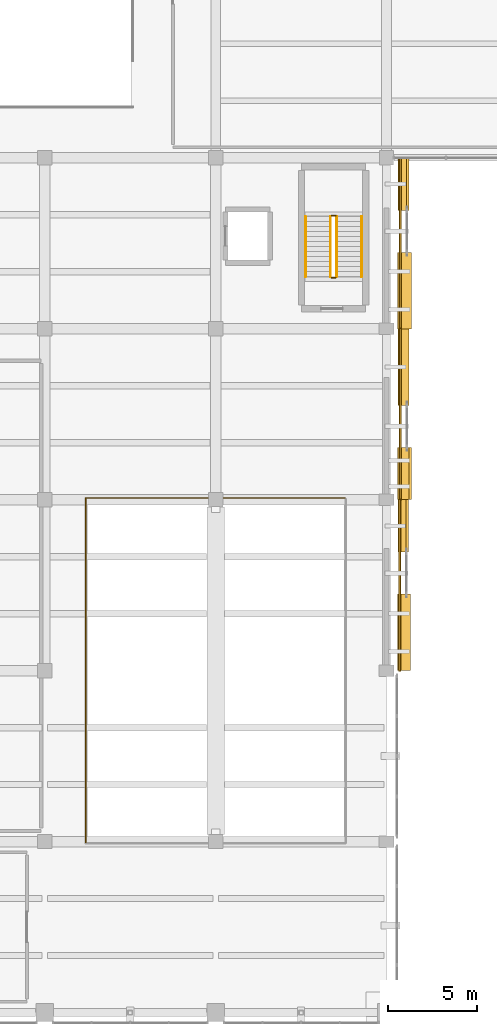
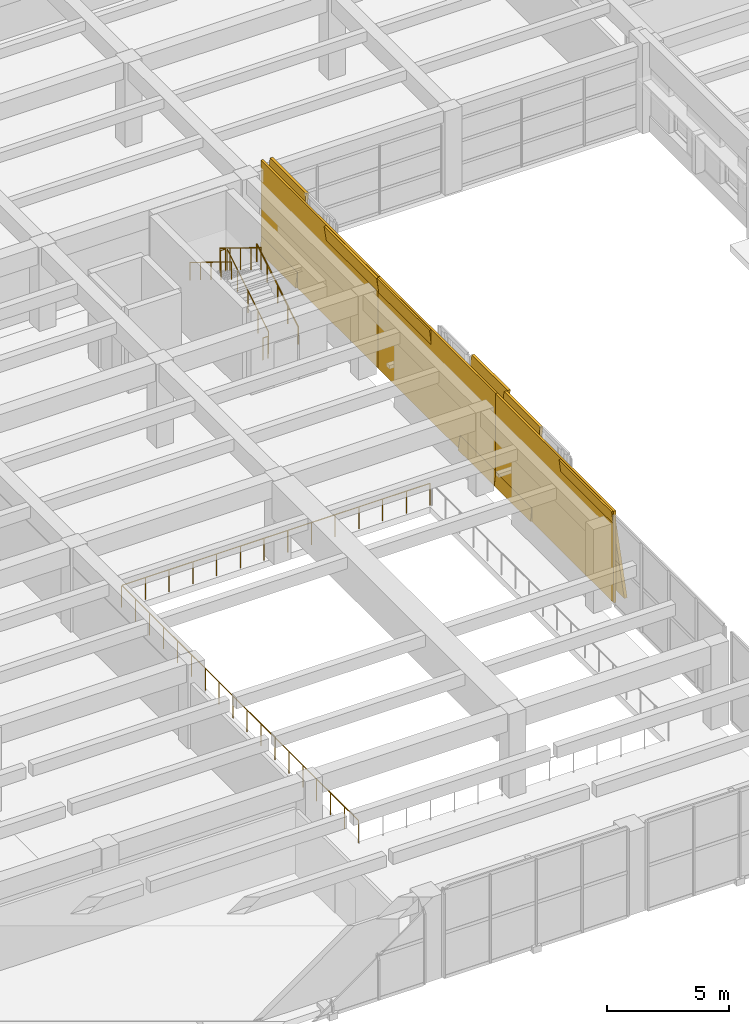
# One storey, part 41 of 49: 9 coverings, 7 railings.
"""IFC4 building model written with IfcOpenShell, lengths in metres."""

from ifc_helpers import new_model, si_unit, direction, frame, origin, origin_2d, place, context, subcontext, project, spatial, rectangle, circle, extrude, material, layer, layer_set, type_object, element, save


model = new_model("IFC4")

# Units and contexts
model_context = context("Model", 3, precision=1e-05, world=origin(), true_north=direction((0.0, 1.0)))
body_context = subcontext(model_context, "Body", "Model", "MODEL_VIEW")
ifc_project = project(units=[si_unit("LENGTHUNIT", "METRE"), si_unit("AREAUNIT", "SQUARE_METRE"), si_unit("VOLUMEUNIT", "CUBIC_METRE"), si_unit("PLANEANGLEUNIT", "RADIAN"), si_unit("MASSUNIT", "GRAM", prefix="KILO")], contexts=[model_context])

# Site, building, storey
site_placement = place(None, origin())
site = spatial("IfcSite", under=ifc_project, at=site_placement, CompositionType="ELEMENT")
building_placement = place(site_placement, origin())
building = spatial("IfcBuilding", under=site, at=building_placement, Name="Bempovik Park Faculty of Sciences", CompositionType="ELEMENT")
storey_placement = place(building_placement, frame((0.0, 0.0, 5.39990234375)))
storey = spatial("IfcBuildingStorey", under=building, at=storey_placement, Name="L01", CompositionType="ELEMENT", Elevation=5.39990234375)

# Coverings
ifc_material_1 = material(Name="White reconstituted limestone precast C40/50", Category="masonry")
ifc_layer = layer(ifc_material_1, 0.1201171875)
ifc_layer_set = layer_set([ifc_layer], Name="White reconstituted limestone precast C40/50")
covering_type = type_object("IfcCoveringType", Name="CL-01 Crystal Limestone Facet 120mm", PredefinedType="CLADDING", material=ifc_layer_set)
covering_1_placement = place(storey_placement, frame((118.343017578125, 43.800048828125, -0.0400390625), z_axis=(0.0, 0.0, 1.0), x_axis=(1.0, 0.0, 0.0)))
element("IfcCovering", 1, at=covering_1_placement, inside=storey, type_object=covering_type, Name="L01 White Crystal Seam Backing 1176-390", PredefinedType="CLADDING", context=body_context, shape_type="SweptSolid", body=[
    extrude(rectangle(XDim=0.10009765625, YDim=9.679931640625, at=origin_2d()), origin(), (0.0, 0.0, 1.0), 4.580078125),
])
covering_2_placement = place(storey_placement, frame((118.885986328125, 41.1474609375, -0.02001953125), z_axis=(-0.132256390257, 0.0, 0.991215540252), x_axis=(0.0, 1.0, 0.0)))
element("IfcCovering", 2, at=covering_2_placement, inside=storey, type_object=covering_type, Name="L01 Tilted Crystal Limestone Facet FAC-CRYS-L01-1176-390", PredefinedType="CLADDING", context=body_context, shape_type="SweptSolid", body=[
    extrude(rectangle(XDim=4.294921875, YDim=0.139892578125, at=origin_2d()), origin(), (0.0, 0.0, 1.0), 4.580078125),
])
covering_3_placement = place(storey_placement, frame((118.29541015625, 47.12744140625, -0.02880859375), z_axis=(0.099319749744, 0.0, 0.995055569961), x_axis=(0.0, 1.0, 0.0)))
element("IfcCovering", 3, at=covering_3_placement, inside=storey, type_object=covering_type, Name="L01 Counter-Tilted Crystal Facet FAC-CRYS-L01-1176-390-R", PredefinedType="CLADDING", context=body_context, shape_type="SweptSolid", body=[
    extrude(rectangle(XDim=2.945068359375, YDim=0.139892578125, at=origin_2d()), origin(), (0.0, 0.0, 1.0), 4.580078125),
])
covering_4_placement = place(storey_placement, frame((118.358642578125, 53.39990234375, -0.0400390625), z_axis=(0.0, 0.0, 1.0), x_axis=(1.0, 0.0, 0.0)))
element("IfcCovering", 4, at=covering_4_placement, inside=storey, type_object=covering_type, Name="L01 White Crystal Seam Backing 1176-486", PredefinedType="CLADDING", context=body_context, shape_type="SweptSolid", body=[
    extrude(rectangle(XDim=0.10009765625, YDim=9.679931640625, at=origin_2d()), origin(), (0.0, 0.0, 1.0), 4.580078125),
])
covering_5_placement = place(storey_placement, frame((118.280029296875, 50.072509765625, -0.017822265625), z_axis=(0.13917310096, 0.0, 0.990268068742), x_axis=(0.0, 1.0, 0.0)))
element("IfcCovering", 5, at=covering_5_placement, inside=storey, type_object=covering_type, Name="L01 Tilted Crystal Limestone Facet FAC-CRYS-L01-1176-486", PredefinedType="CLADDING", context=body_context, shape_type="SweptSolid", body=[
    extrude(rectangle(XDim=2.945068359375, YDim=0.139892578125, at=origin_2d()), origin(), (0.0, 0.0, 1.0), 4.580078125),
])
covering_6_placement = place(storey_placement, frame((118.778076171875, 56.052490234375, -0.027587890625), z_axis=(-0.104528463268, 0.0, 0.994521895368), x_axis=(0.0, 1.0, 0.0)))
element("IfcCovering", 6, at=covering_6_placement, inside=storey, type_object=covering_type, Name="L01 Counter-Tilted Crystal Facet FAC-CRYS-L01-1176-486-R", PredefinedType="CLADDING", context=body_context, shape_type="SweptSolid", body=[
    extrude(rectangle(XDim=4.294921875, YDim=0.139892578125, at=origin_2d()), origin(), (0.0, 0.0, 1.0), 4.580078125),
])
covering_7_placement = place(storey_placement, frame((118.36669921875, 63.0, -0.0400390625), z_axis=(0.0, 0.0, 1.0), x_axis=(1.0, 0.0, 0.0)))
element("IfcCovering", 7, at=covering_7_placement, inside=storey, type_object=covering_type, Name="L01 White Crystal Seam Backing 1176-582", PredefinedType="CLADDING", context=body_context, shape_type="SweptSolid", body=[
    extrude(rectangle(XDim=0.10009765625, YDim=9.679931640625, at=origin_2d()), origin(), (0.0, 0.0, 1.0), 4.580078125),
])
covering_8_placement = place(storey_placement, frame((118.933349609375, 60.347412109375, -0.0166015625), z_axis=(-0.142628933706, 0.0, 0.989776230908), x_axis=(0.0, 1.0, 0.0)))
element("IfcCovering", 8, at=covering_8_placement, inside=storey, type_object=covering_type, Name="L01 Tilted Crystal Limestone Facet FAC-CRYS-L01-1176-582", PredefinedType="CLADDING", context=body_context, shape_type="SweptSolid", body=[
    extrude(rectangle(XDim=4.294921875, YDim=0.139892578125, at=origin_2d()), origin(), (0.0, 0.0, 1.0), 4.580078125),
])
covering_9_placement = place(storey_placement, frame((118.30126953125, 66.327392578125, -0.02685546875), z_axis=(0.107131754314, 0.0, 0.994244832633), x_axis=(0.0, 1.0, 0.0)))
element("IfcCovering", 9, at=covering_9_placement, inside=storey, type_object=covering_type, Name="L01 Counter-Tilted Crystal Facet FAC-CRYS-L01-1176-582-R", PredefinedType="CLADDING", context=body_context, shape_type="SweptSolid", body=[
    extrude(rectangle(XDim=2.945068359375, YDim=0.139892578125, at=origin_2d()), origin(), (0.0, 0.0, 1.0), 4.580078125),
])

# Railings
ifc_material_2 = material(Name="Anodised architectural bronze")
railing_type_1 = type_object("IfcRailingType", Name="GR-01 Guardrail 1120mm", PredefinedType="GUARDRAIL", material=ifc_material_2)
railing_1_placement = place(storey_placement, frame((114.800048828125, 61.125, 0.173095703125)))
element("IfcRailing", 10, at=railing_1_placement, inside=storey, type_object=railing_type_1, Name="L01 ST-5 Stair Guard 1", PredefinedType="GUARDRAIL", context=body_context, shape_type="SweptSolid", body=[
    extrude(circle(Radius=0.02392578125, at=origin_2d()), frame((0.0, 0.0, 1.09619140625), z_axis=(0.0, 0.851660431972, 0.524093988338), x_axis=(-1.0, 0.0, 0.0)), (0.0, 0.0, 1.0), 3.962890625),
    extrude(circle(Radius=0.02099609375, at=origin_2d()), origin(), (0.0, 0.0, 1.0), 1.072021484375),
    extrude(circle(Radius=0.02099609375, at=origin_2d()), frame((0.0, 0.84375, 0.519287109375)), (0.0, 0.0, 1.0), 1.072021484375),
    extrude(circle(Radius=0.02099609375, at=origin_2d()), frame((0.0, 1.6875, 1.03857421875)), (0.0, 0.0, 1.0), 1.072021484375),
    extrude(circle(Radius=0.02099609375, at=origin_2d()), frame((0.0, 2.53125, 1.5576171875)), (0.0, 0.0, 1.0), 1.072021484375),
    extrude(circle(Radius=0.02099609375, at=origin_2d()), frame((0.0, 3.375, 2.076904296875)), (0.0, 0.0, 1.0), 1.072021484375),
])
railing_2_placement = place(storey_placement, frame((114.75, 64.550048828125, 2.25)))
element("IfcRailing", 11, at=railing_2_placement, inside=storey, type_object=railing_type_1, Name="L01 ST-5 Stair Guard 2", PredefinedType="GUARDRAIL", context=body_context, shape_type="SweptSolid", body=[
    extrude(circle(Radius=0.02392578125, at=origin_2d()), frame((0.0, 0.0, 1.09619140625), z_axis=(-1.0, 0.0, 0.0), x_axis=(0.0, -1.0, 0.0)), (0.0, 0.0, 1.0), 0.25),
    extrude(circle(Radius=0.02099609375, at=origin_2d()), origin(), (0.0, 0.0, 1.0), 1.072021484375),
    extrude(circle(Radius=0.02099609375, at=origin_2d()), frame((-0.25, 0.0, 0.0)), (0.0, 0.0, 1.0), 1.072021484375),
])
railing_3_placement = place(storey_placement, frame((114.449951171875, 64.5, 2.423095703125)))
element("IfcRailing", 12, at=railing_3_placement, inside=storey, type_object=railing_type_1, Name="L01 ST-5 Stair Guard 3", PredefinedType="GUARDRAIL", context=body_context, shape_type="SweptSolid", body=[
    extrude(circle(Radius=0.02392578125, at=origin_2d()), frame((0.0, 0.0, 1.09619140625), z_axis=(0.0, -0.851660431972, 0.524093988338), x_axis=(1.0, 0.0, 0.0)), (0.0, 0.0, 1.0), 3.962890625),
    extrude(circle(Radius=0.02099609375, at=origin_2d()), origin(), (0.0, 0.0, 1.0), 1.072021484375),
    extrude(circle(Radius=0.02099609375, at=origin_2d()), frame((0.0, -0.84375, 0.519287109375)), (0.0, 0.0, 1.0), 1.072021484375),
    extrude(circle(Radius=0.02099609375, at=origin_2d()), frame((0.0, -1.6875, 1.03857421875)), (0.0, 0.0, 1.0), 1.072021484375),
    extrude(circle(Radius=0.02099609375, at=origin_2d()), frame((0.0, -2.53125, 1.5576171875)), (0.0, 0.0, 1.0), 1.072021484375),
    extrude(circle(Radius=0.02099609375, at=origin_2d()), frame((0.0, -3.375, 2.076904296875)), (0.0, 0.0, 1.0), 1.072021484375),
])
railing_4_placement = place(storey_placement, frame((114.75, 61.074951171875, 0.0)))
element("IfcRailing", 13, at=railing_4_placement, inside=storey, type_object=railing_type_1, Name="L01 ST-5 Stair Guard 4", PredefinedType="GUARDRAIL", context=body_context, shape_type="SweptSolid", body=[
    extrude(circle(Radius=0.02392578125, at=origin_2d()), frame((0.0, 0.0, 1.09619140625), z_axis=(-1.0, 0.0, 0.0), x_axis=(0.0, -1.0, 0.0)), (0.0, 0.0, 1.0), 0.25),
    extrude(circle(Radius=0.02099609375, at=origin_2d()), origin(), (0.0, 0.0, 1.0), 1.072021484375),
    extrude(circle(Radius=0.02099609375, at=origin_2d()), frame((-0.25, 0.0, 0.0)), (0.0, 0.0, 1.0), 1.072021484375),
])
railing_5_placement = place(storey_placement, frame((115.25, 48.699951171875, 0.0)))
element("IfcRailing", 14, at=railing_5_placement, inside=storey, type_object=railing_type_1, Name="L01 Lecture Void 2 Guardrail NW", PredefinedType="GUARDRAIL", context=body_context, shape_type="SweptSolid", body=[
    extrude(circle(Radius=0.02392578125, at=origin_2d()), frame((0.0, 0.0, 1.09619140625), z_axis=(-1.0, 0.0, 0.0), x_axis=(0.0, -1.0, 0.0)), (0.0, 0.0, 1.0), 14.550048828125),
    extrude(circle(Radius=0.02392578125, at=origin_2d()), frame((-14.550048828125, 0.0, 1.09619140625), z_axis=(0.0, -1.0, 0.0), x_axis=(1.0, 0.0, 0.0)), (0.0, 0.0, 1.0), 19.349853515625),
    extrude(circle(Radius=0.02099609375, at=origin_2d()), origin(), (0.0, 0.0, 1.0), 1.072021484375),
    extrude(circle(Radius=0.02099609375, at=origin_2d()), frame((-1.119140625, 0.0, 0.0)), (0.0, 0.0, 1.0), 1.072021484375),
    extrude(circle(Radius=0.02099609375, at=origin_2d()), frame((-2.238525390625, 0.0, 0.0)), (0.0, 0.0, 1.0), 1.072021484375),
    extrude(circle(Radius=0.02099609375, at=origin_2d()), frame((-3.357666015625, 0.0, 0.0)), (0.0, 0.0, 1.0), 1.072021484375),
    extrude(circle(Radius=0.02099609375, at=origin_2d()), frame((-4.47705078125, 0.0, 0.0)), (0.0, 0.0, 1.0), 1.072021484375),
    extrude(circle(Radius=0.02099609375, at=origin_2d()), frame((-5.59619140625, 0.0, 0.0)), (0.0, 0.0, 1.0), 1.072021484375),
    extrude(circle(Radius=0.02099609375, at=origin_2d()), frame((-6.71533203125, 0.0, 0.0)), (0.0, 0.0, 1.0), 1.072021484375),
    extrude(circle(Radius=0.02099609375, at=origin_2d()), frame((-7.834716796875, 0.0, 0.0)), (0.0, 0.0, 1.0), 1.072021484375),
    extrude(circle(Radius=0.02099609375, at=origin_2d()), frame((-8.953857421875, 0.0, 0.0)), (0.0, 0.0, 1.0), 1.072021484375),
    extrude(circle(Radius=0.02099609375, at=origin_2d()), frame((-10.072998046875, 0.0, 0.0)), (0.0, 0.0, 1.0), 1.072021484375),
    extrude(circle(Radius=0.02099609375, at=origin_2d()), frame((-11.1923828125, 0.0, 0.0)), (0.0, 0.0, 1.0), 1.072021484375),
    extrude(circle(Radius=0.02099609375, at=origin_2d()), frame((-12.3115234375, 0.0, 0.0)), (0.0, 0.0, 1.0), 1.072021484375),
    extrude(circle(Radius=0.02099609375, at=origin_2d()), frame((-13.430908203125, 0.0, 0.0)), (0.0, 0.0, 1.0), 1.072021484375),
    extrude(circle(Radius=0.02099609375, at=origin_2d()), frame((-14.550048828125, 0.0, 0.0)), (0.0, 0.0, 1.0), 1.072021484375),
    extrude(circle(Radius=0.02099609375, at=origin_2d()), frame((-14.550048828125, -1.13818359375, 0.0)), (0.0, 0.0, 1.0), 1.072021484375),
    extrude(circle(Radius=0.02099609375, at=origin_2d()), frame((-14.550048828125, -2.2763671875, 0.0)), (0.0, 0.0, 1.0), 1.072021484375),
    extrude(circle(Radius=0.02099609375, at=origin_2d()), frame((-14.550048828125, -3.414794921875, 0.0)), (0.0, 0.0, 1.0), 1.072021484375),
    extrude(circle(Radius=0.02099609375, at=origin_2d()), frame((-14.550048828125, -4.552978515625, 0.0)), (0.0, 0.0, 1.0), 1.072021484375),
    extrude(circle(Radius=0.02099609375, at=origin_2d()), frame((-14.550048828125, -5.691162109375, 0.0)), (0.0, 0.0, 1.0), 1.072021484375),
    extrude(circle(Radius=0.02099609375, at=origin_2d()), frame((-14.550048828125, -6.829345703125, 0.0)), (0.0, 0.0, 1.0), 1.072021484375),
    extrude(circle(Radius=0.02099609375, at=origin_2d()), frame((-14.550048828125, -7.967529296875, 0.0)), (0.0, 0.0, 1.0), 1.072021484375),
    extrude(circle(Radius=0.02099609375, at=origin_2d()), frame((-14.550048828125, -9.105712890625, 0.0)), (0.0, 0.0, 1.0), 1.072021484375),
    extrude(circle(Radius=0.02099609375, at=origin_2d()), frame((-14.550048828125, -10.244140625, 0.0)), (0.0, 0.0, 1.0), 1.072021484375),
    extrude(circle(Radius=0.02099609375, at=origin_2d()), frame((-14.550048828125, -11.38232421875, 0.0)), (0.0, 0.0, 1.0), 1.072021484375),
    extrude(circle(Radius=0.02099609375, at=origin_2d()), frame((-14.550048828125, -12.5205078125, 0.0)), (0.0, 0.0, 1.0), 1.072021484375),
    extrude(circle(Radius=0.02099609375, at=origin_2d()), frame((-14.550048828125, -13.65869140625, 0.0)), (0.0, 0.0, 1.0), 1.072021484375),
    extrude(circle(Radius=0.02099609375, at=origin_2d()), frame((-14.550048828125, -14.796875, 0.0)), (0.0, 0.0, 1.0), 1.072021484375),
    extrude(circle(Radius=0.02099609375, at=origin_2d()), frame((-14.550048828125, -15.93505859375, 0.0)), (0.0, 0.0, 1.0), 1.072021484375),
    extrude(circle(Radius=0.02099609375, at=origin_2d()), frame((-14.550048828125, -17.073486328125, 0.0)), (0.0, 0.0, 1.0), 1.072021484375),
    extrude(circle(Radius=0.02099609375, at=origin_2d()), frame((-14.550048828125, -18.211669921875, 0.0)), (0.0, 0.0, 1.0), 1.072021484375),
    extrude(circle(Radius=0.02099609375, at=origin_2d()), frame((-14.550048828125, -19.349853515625, 0.0)), (0.0, 0.0, 1.0), 1.072021484375),
])
railing_type_2 = type_object("IfcRailingType", Name="HR-01 Wall Handrail 900mm", PredefinedType="HANDRAIL", material=ifc_material_2)
railing_6_placement = place(storey_placement, frame((116.199951171875, 61.125, 0.173095703125)))
element("IfcRailing", 15, at=railing_6_placement, inside=storey, type_object=railing_type_2, Name="L01 ST-5 Stair Handrail 1", PredefinedType="HANDRAIL", context=body_context, shape_type="SweptSolid", body=[
    extrude(circle(Radius=0.02392578125, at=origin_2d()), frame((0.0, 0.0, 0.8759765625), z_axis=(0.0, 0.851660431972, 0.524093988338), x_axis=(-1.0, 0.0, 0.0)), (0.0, 0.0, 1.0), 3.962890625),
    extrude(circle(Radius=0.02099609375, at=origin_2d()), origin(), (0.0, 0.0, 1.0), 0.851806640625),
    extrude(circle(Radius=0.02099609375, at=origin_2d()), frame((0.0, 0.84375, 0.519287109375)), (0.0, 0.0, 1.0), 0.851806640625),
    extrude(circle(Radius=0.02099609375, at=origin_2d()), frame((0.0, 1.6875, 1.03857421875)), (0.0, 0.0, 1.0), 0.851806640625),
    extrude(circle(Radius=0.02099609375, at=origin_2d()), frame((0.0, 2.53125, 1.5576171875)), (0.0, 0.0, 1.0), 0.851806640625),
    extrude(circle(Radius=0.02099609375, at=origin_2d()), frame((0.0, 3.375, 2.076904296875)), (0.0, 0.0, 1.0), 0.851806640625),
])
railing_7_placement = place(storey_placement, frame((113.050048828125, 64.5, 2.423095703125)))
element("IfcRailing", 16, at=railing_7_placement, inside=storey, type_object=railing_type_2, Name="L01 ST-5 Stair Handrail 2", PredefinedType="HANDRAIL", context=body_context, shape_type="SweptSolid", body=[
    extrude(circle(Radius=0.02392578125, at=origin_2d()), frame((0.0, 0.0, 0.8759765625), z_axis=(0.0, -0.851660431972, 0.524093988338), x_axis=(1.0, 0.0, 0.0)), (0.0, 0.0, 1.0), 3.962890625),
    extrude(circle(Radius=0.02099609375, at=origin_2d()), origin(), (0.0, 0.0, 1.0), 0.851806640625),
    extrude(circle(Radius=0.02099609375, at=origin_2d()), frame((0.0, -0.84375, 0.519287109375)), (0.0, 0.0, 1.0), 0.851806640625),
    extrude(circle(Radius=0.02099609375, at=origin_2d()), frame((0.0, -1.6875, 1.03857421875)), (0.0, 0.0, 1.0), 0.851806640625),
    extrude(circle(Radius=0.02099609375, at=origin_2d()), frame((0.0, -2.53125, 1.5576171875)), (0.0, 0.0, 1.0), 0.851806640625),
    extrude(circle(Radius=0.02099609375, at=origin_2d()), frame((0.0, -3.375, 2.076904296875)), (0.0, 0.0, 1.0), 0.851806640625),
])

save(model, "model.ifc")
